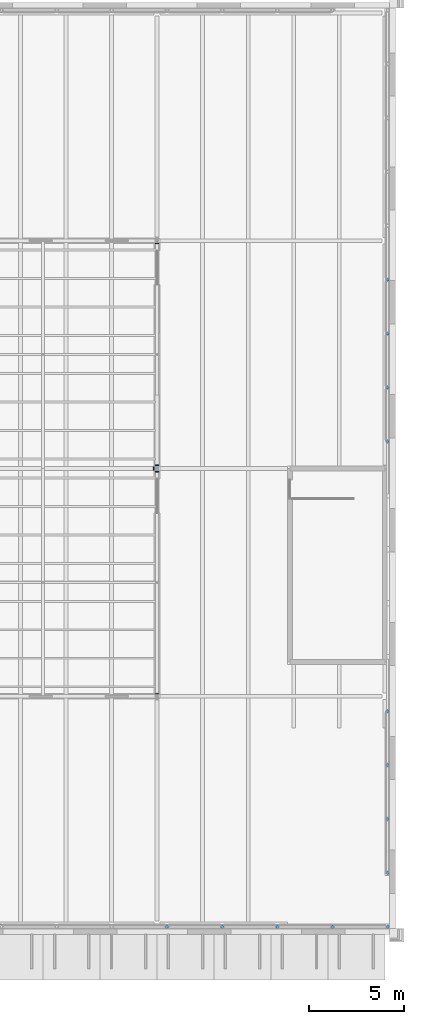
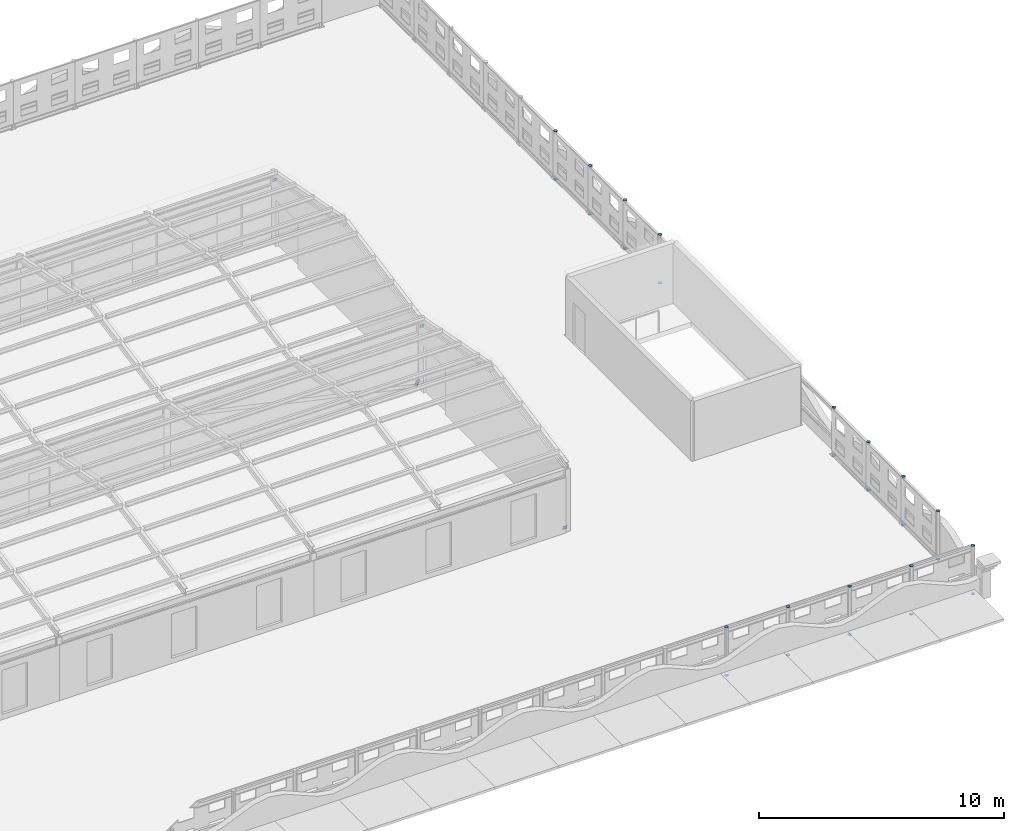
# One storey, part 84 of 91: 31 discrete accessories.
"""IFC4 building model written with IfcOpenShell, lengths in metres."""

from ifc_helpers import new_model, si_unit, direction, frame, origin, origin_2d, place, context, subcontext, project, spatial, rectangle, circle, extrude, material, material_profile, profile_set, type_object, element, save


model = new_model("IFC4")

# Units and contexts
model_context = context("Model", 3, precision=1e-05, world=origin(), true_north=direction((0.0, 1.0)))
body_context = subcontext(model_context, "Body", "Model", "MODEL_VIEW")
ifc_project = project(units=[si_unit("LENGTHUNIT", "METRE"), si_unit("AREAUNIT", "SQUARE_METRE"), si_unit("VOLUMEUNIT", "CUBIC_METRE"), si_unit("PLANEANGLEUNIT", "RADIAN"), si_unit("MASSUNIT", "GRAM", prefix="KILO")], contexts=[model_context])

# Site, building, storey
site_placement = place(None, origin())
site = spatial("IfcSite", under=ifc_project, at=site_placement, CompositionType="ELEMENT")
building_placement = place(site_placement, origin())
building = spatial("IfcBuilding", under=site, at=building_placement, Name="Ravi Spectrum Wholesale Market", CompositionType="ELEMENT")
storey_placement = place(building_placement, frame((0.0, 0.0, 16.199951171875)))
storey = spatial("IfcBuildingStorey", under=building, at=storey_placement, Name="ROOF PLANT LEVEL", CompositionType="ELEMENT", Elevation=16.199951171875)

# Discrete accessories
ifc_material_1 = material(Name="Steel S355", Category="steel")
ifc_material_profile_1 = material_profile(ifc_material_1, circle(Radius=0.084228515625, at=origin_2d()))
ifc_profile_set_1 = profile_set([ifc_material_profile_1], Name="Steel S355")
discrete_accessory_type_1 = type_object("IfcDiscreteAccessoryType", Name="End plate CHS 168.3x6.3", PredefinedType="BRACKET", material=ifc_profile_set_1)
for number, where, z_axis, x_axis, name in (
    (1, (270.5224609375, 17.85009765625, 0.0), (0.0, 0.0, -1.0), (1.0, 0.0, 0.0), "End plate"),
    (2, (270.5224609375, 17.85009765625, 2.400146484375), (0.0, 0.0, 1.0), (1.0, 0.0, 0.0), "End plate"),
    (3, (273.42919921875, 17.85009765625, 0.0), (0.0, 0.0, -1.0), (1.0, 0.0, 0.0), "End plate"),
    (4, (273.42919921875, 17.85009765625, 2.400146484375), (0.0, 0.0, 1.0), (1.0, 0.0, 0.0), "End plate"),
    (5, (276.336181640625, 17.85009765625, 0.0), (0.0, 0.0, -1.0), (1.0, 0.0, 0.0), "End plate"),
    (6, (276.336181640625, 17.85009765625, 2.400146484375), (0.0, 0.0, 1.0), (1.0, 0.0, 0.0), "End plate"),
    (7, (279.2431640625, 17.85009765625, 0.0), (0.0, 0.0, -1.0), (1.0, 0.0, 0.0), "End plate"),
    (8, (279.2431640625, 17.85009765625, 2.400146484375), (0.0, 0.0, 1.0), (1.0, 0.0, 0.0), "End plate"),
    (9, (282.14990234375, 17.85009765625, 0.0), (0.0, 0.0, -1.0), (1.0, 0.0, 0.0), "End plate"),
    (10, (282.14990234375, 17.85009765625, 2.400146484375), (0.0, 0.0, 1.0), (1.0, 0.0, 0.0), "End plate"),
    (11, (282.14990234375, 20.691162109375, 0.0), (0.0, 0.0, -1.0), (1.0, 0.0, 0.0), "End plate"),
    (12, (282.14990234375, 20.691162109375, 2.400146484375), (0.0, 0.0, 1.0), (1.0, 0.0, 0.0), "End plate"),
    (13, (282.14990234375, 23.532470703125, 0.0), (0.0, 0.0, -1.0), (1.0, 0.0, 0.0), "End plate"),
    (14, (282.14990234375, 23.532470703125, 2.400146484375), (0.0, 0.0, 1.0), (1.0, 0.0, 0.0), "End plate"),
    (15, (282.14990234375, 26.37353515625, 0.0), (0.0, 0.0, -1.0), (1.0, 0.0, 0.0), "End plate"),
    (16, (282.14990234375, 26.37353515625, 2.400146484375), (0.0, 0.0, 1.0), (1.0, 0.0, 0.0), "End plate"),
    (17, (282.14990234375, 29.214599609375, 0.0), (0.0, 0.0, -1.0), (1.0, 0.0, 0.0), "End plate"),
    (18, (282.14990234375, 29.214599609375, 2.400146484375), (0.0, 0.0, 1.0), (1.0, 0.0, 0.0), "End plate"),
    (19, (282.14990234375, 43.420654296875, 0.0), (0.0, 0.0, -1.0), (1.0, 0.0, 0.0), "End plate"),
    (20, (282.14990234375, 43.420654296875, 2.400146484375), (0.0, 0.0, 1.0), (1.0, 0.0, 0.0), "End plate"),
    (21, (282.14990234375, 46.26171875, 0.0), (0.0, 0.0, -1.0), (1.0, 0.0, 0.0), "End plate"),
    (22, (282.14990234375, 46.26171875, 2.400146484375), (0.0, 0.0, 1.0), (1.0, 0.0, 0.0), "End plate"),
    (23, (282.14990234375, 49.10302734375, 0.0), (0.0, 0.0, -1.0), (1.0, 0.0, 0.0), "End plate"),
    (24, (282.14990234375, 49.10302734375, 2.400146484375), (0.0, 0.0, 1.0), (1.0, 0.0, 0.0), "End plate"),
    (25, (282.14990234375, 51.944091796875, 0.0), (0.0, 0.0, -1.0), (1.0, 0.0, 0.0), "End plate"),
    (26, (282.14990234375, 51.944091796875, 2.400146484375), (0.0, 0.0, 1.0), (1.0, 0.0, 0.0), "End plate"),
):
    element("IfcDiscreteAccessory", number, at=place(storey_placement, frame(where, z_axis=z_axis, x_axis=x_axis)), inside=storey, type_object=discrete_accessory_type_1, Name=name, PredefinedType="BRACKET", context=body_context, shape_type="SweptSolid", body=[
        extrude(circle(Radius=0.084228515625, at=origin_2d()), origin(), (0.0, 0.0, 1.0), 0.011962890625),
    ])
ifc_material_2 = material(Name="Steel S355", Category="steel")
ifc_material_profile_2 = material_profile(ifc_material_2, rectangle(XDim=0.199951171875, YDim=0.199951171875, at=origin_2d()))
ifc_profile_set_2 = profile_set([ifc_material_profile_2], Name="Steel S355")
discrete_accessory_type_2 = type_object("IfcDiscreteAccessoryType", Name="End plate SHS 200x200x8", PredefinedType="BRACKET", material=ifc_profile_set_2)
for number, where, z_axis, x_axis, name in (
    (27, (269.828857421875, 42.0, 0.097900390625), (0.974732318528, 0.0, -0.223376156329), (0.0, 1.0, 0.0), "End plate"),
    (28, (270.0, 30.14453125, 0.096923828125), (0.0, -0.970142500145, -0.242535625036), (1.0, 0.0, 0.0), "End plate"),
    (29, (270.0, 41.825439453125, 3.05517578125), (0.0, 0.970142500145, 0.242535625036), (-1.0, 0.0, 0.0), "End plate"),
    (30, (270.0, 42.174560546875, 0.096923828125), (0.0, -0.970142500145, -0.242535625036), (1.0, 0.0, 0.0), "End plate"),
    (31, (270.0, 53.85546875, 3.05517578125), (0.0, 0.970142500145, 0.242535625036), (-1.0, 0.0, 0.0), "End plate"),
):
    element("IfcDiscreteAccessory", number, at=place(storey_placement, frame(where, z_axis=z_axis, x_axis=x_axis)), inside=storey, type_object=discrete_accessory_type_2, Name=name, PredefinedType="BRACKET", context=body_context, shape_type="SweptSolid", body=[
        extrude(rectangle(XDim=0.199951171875, YDim=0.199951171875, at=origin_2d()), origin(), (0.0, 0.0, 1.0), 0.011962890625),
    ])

save(model, "model.ifc")
